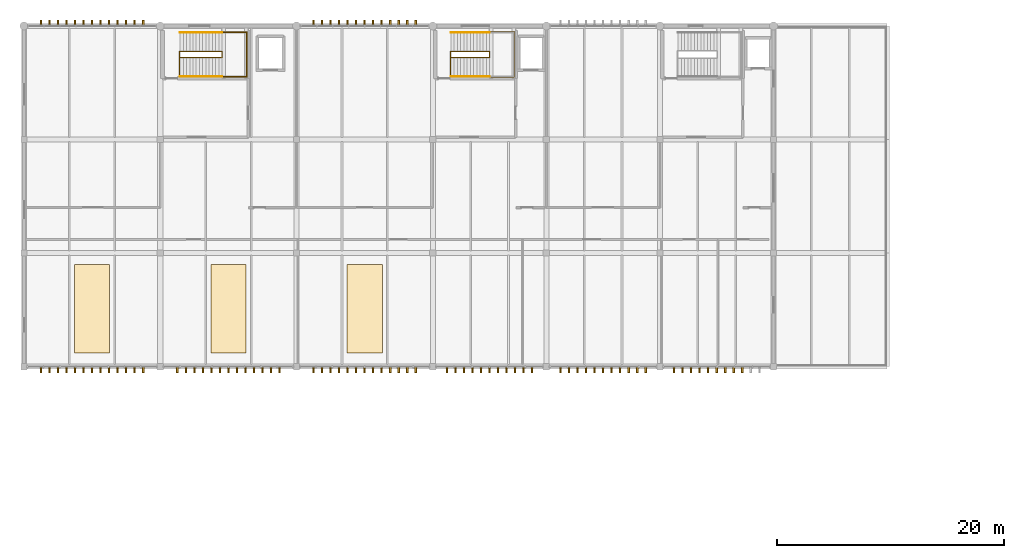
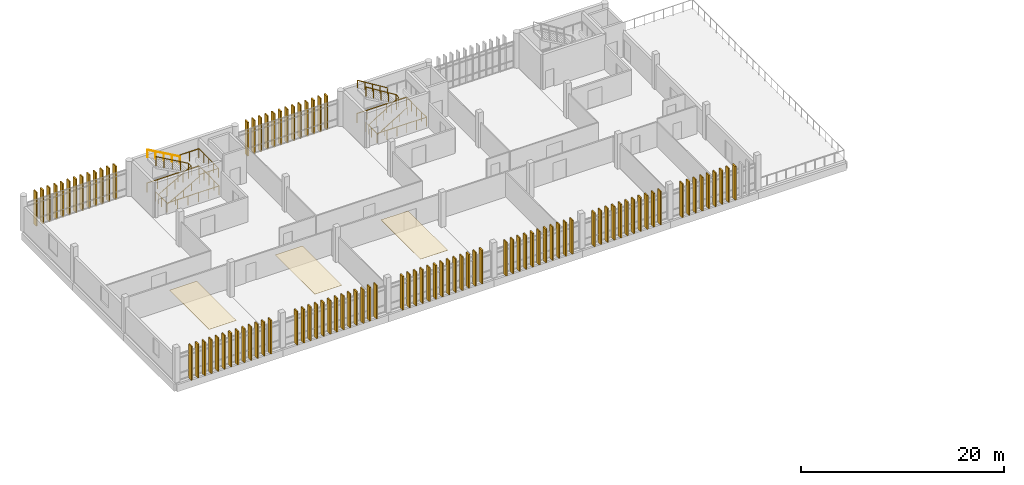
# One storey, part 28 of 29: 96 shading devices, 9 railings, 3 coverings.
"""IFC4 building model written with IfcOpenShell, lengths in metres."""

import ifcopenshell
import ifcopenshell.guid

model = None  # the IFC model being written
_history = None  # IfcOwnerHistory: only IFC2X3 demands one
_inside = {}  # id of a spatial element -> (the spatial element, [elements in it])
_under = {}  # id of a project, library or spatial element -> (it, [spatial elements below it])
_declared = {}  # id of a project -> (the project, [libraries it declares])
_typed = {}  # id of a type object -> (the type object, [elements of that type])
_made_of = {}  # id of a material, layer set ... -> (it, [elements and type objects made of it])


def new_model(schema):
    """Start an empty IFC model of exactly this schema.

    Asked for "IFC4X3", IfcOpenShell would pick the latest addendum, in which some entities
    have other attributes; the version numbers below select the first issue.
    IFC2X3 requires an IfcOwnerHistory on every rooted entity: one is made here for all.
    """
    global model, _history
    if schema == "IFC4X3":
        model = ifcopenshell.file(schema_version=(4, 3, 0, 0))
    else:
        model = ifcopenshell.file(schema=schema)
    _inside.clear()
    _under.clear()
    _declared.clear()
    _typed.clear()
    _made_of.clear()
    _history = None
    if model.schema == "IFC2X3":
        org = make("IfcOrganization", Name="unknown")
        user = make(
            "IfcPersonAndOrganization",
            ThePerson=make("IfcPerson", FamilyName="unknown"),
            TheOrganization=org,
        )
        app = make(
            "IfcApplication",
            ApplicationDeveloper=org,
            Version="unknown",
            ApplicationFullName="unknown",
            ApplicationIdentifier="unknown",
        )
        _history = make(
            "IfcOwnerHistory",
            OwningUser=user,
            OwningApplication=app,
            ChangeAction="ADDED",
            CreationDate=0,
        )
    return model


def make(cls, **values):
    """One entity of the class cls with the attributes given. An attribute that is None is left unset."""
    return model.create_entity(
        cls, **{name: value for name, value in values.items() if value is not None}
    )


def rooted(cls, **values):
    """An entity with a GlobalId (a new one), such as an element, a storey or a relation."""
    return make(cls, GlobalId=ifcopenshell.guid.new(), OwnerHistory=_history, **values)


def si_unit(unit_type, name, prefix=None):
    """IfcSIUnit, for example si_unit("LENGTHUNIT", "METRE", prefix="MILLI")."""
    return make("IfcSIUnit", UnitType=unit_type, Prefix=prefix, Name=name)


def assignment(units):
    """IfcUnitAssignment: the units of a project."""
    return None if units is None else make("IfcUnitAssignment", Units=units)


def point(xyz):
    """IfcCartesianPoint."""
    return None if xyz is None else make("IfcCartesianPoint", Coordinates=xyz)


def direction(xyz):
    """IfcDirection."""
    return None if xyz is None else make("IfcDirection", DirectionRatios=xyz)


def frame(location, z_axis=None, x_axis=None):
    """IfcAxis2Placement3D, a coordinate frame: its origin and axes. An axis left out is left unset."""
    return make(
        "IfcAxis2Placement3D",
        Location=point(location),
        Axis=direction(z_axis),
        RefDirection=direction(x_axis),
    )


def frame_2d(location, x_axis=None):
    """IfcAxis2Placement2D, a coordinate frame in the plane: its origin and x axis."""
    return make(
        "IfcAxis2Placement2D", Location=point(location), RefDirection=direction(x_axis)
    )


def origin():
    """The frame at (0, 0, 0) with its axes left unset."""
    return frame((0.0, 0.0, 0.0))


def origin_2d():
    """The frame at (0, 0) in the plane with its x axis left unset."""
    return frame_2d((0.0, 0.0))


def place(relative_to, where):
    """IfcLocalPlacement: puts the frame where relative to a parent placement (None: the world)."""
    return make(
        "IfcLocalPlacement", PlacementRelTo=relative_to, RelativePlacement=where
    )


def context(
    kind, dimensions, precision=None, world=None, true_north=None, identifier=None
):
    """IfcGeometricRepresentationContext, for example the 3D "Model" context."""
    return make(
        "IfcGeometricRepresentationContext",
        ContextIdentifier=identifier,
        ContextType=kind,
        CoordinateSpaceDimension=dimensions,
        Precision=precision,
        WorldCoordinateSystem=world,
        TrueNorth=true_north,
    )


def subcontext(parent, identifier, kind, view, scale=None):
    """IfcGeometricRepresentationSubContext, for example "Body" below "Model"."""
    return make(
        "IfcGeometricRepresentationSubContext",
        ContextIdentifier=identifier,
        ContextType=kind,
        ParentContext=parent,
        TargetScale=scale,
        TargetView=view,
    )


def project(units=None, contexts=None):
    """IfcProject with its units and contexts."""
    return rooted(
        "IfcProject",
        Name="project",
        RepresentationContexts=contexts,
        UnitsInContext=assignment(units),
    )


def spatial(cls, under=None, at=None, **own):
    """A site, building, storey or space (cls), placed at a placement, below another one or the project."""
    s = rooted(cls, ObjectPlacement=at, **own)
    if under is not None:
        _under.setdefault(under.id(), (under, []))[1].append(s)
    return s


def polyline(points):
    """IfcPolyline through the points."""
    return make("IfcPolyline", Points=[point(p) for p in points])


def profile(cls, at=None, kind="AREA", **sizes):
    """A parametric profile (cls). Its sizes go by their IFC names, for example OverallWidth=200.0."""
    return make(cls, ProfileType=kind, Position=at, **sizes)


def rectangle(**sizes):
    """IfcRectangleProfileDef."""
    return profile("IfcRectangleProfileDef", **sizes)


def circle(**sizes):
    """IfcCircleProfileDef."""
    return profile("IfcCircleProfileDef", **sizes)


def outline(outer, holes=None, kind="AREA"):
    """IfcArbitraryClosedProfileDef: a profile drawn as a closed curve; with holes, ...WithVoids."""
    if holes is None:
        return make("IfcArbitraryClosedProfileDef", ProfileType=kind, OuterCurve=outer)
    return make(
        "IfcArbitraryProfileDefWithVoids",
        ProfileType=kind,
        OuterCurve=outer,
        InnerCurves=holes,
    )


def extrude(swept, where, along, depth):
    """IfcExtrudedAreaSolid: the profile swept, set in the frame where, extruded along a direction by depth."""
    return make(
        "IfcExtrudedAreaSolid",
        SweptArea=swept,
        Position=where,
        ExtrudedDirection=direction(along),
        Depth=depth,
    )


def shape(context_of_items, identifier, shape_type, items):
    """IfcShapeRepresentation: the items that make up one representation, for example the "Body"."""
    return make(
        "IfcShapeRepresentation",
        ContextOfItems=context_of_items,
        RepresentationIdentifier=identifier,
        RepresentationType=shape_type,
        Items=items,
    )


def material(Name=None, Category=None):
    """IfcMaterial."""
    return make("IfcMaterial", Name=Name, Category=Category)


def layer(
    of_material, thickness, ventilated=None, Name=None, Category=None, Priority=None
):
    """IfcMaterialLayer: one layer of a wall or slab, of a material (None: an air gap)."""
    return make(
        "IfcMaterialLayer",
        Material=of_material,
        LayerThickness=thickness,
        IsVentilated=ventilated,
        Name=Name,
        Category=Category,
        Priority=Priority,
    )


def layer_set(layers, Name=None):
    """IfcMaterialLayerSet."""
    return make("IfcMaterialLayerSet", MaterialLayers=layers, LayerSetName=Name)


def made_of(thing, what):
    """Note that an element or type object is made of a material, layer set ...; save() writes the relation."""
    if what is not None:
        _made_of.setdefault(what.id(), (what, []))[1].append(thing)
    return thing


def type_object(cls, material=None, **own):
    """A type object (cls), such as IfcWallType, which elements share."""
    return made_of(rooted(cls, **own), material)


def element(
    cls,
    number,
    at=None,
    inside=None,
    cuts=None,
    type_object=None,
    material=None,
    context=None,
    identifier="Body",
    shape_type=None,
    held_by="IfcProductDefinitionShape",
    body=None,
    shapes=None,
    **own,
):
    """One element of the class cls, such as IfcWall. Its Tag is "e" and its number.

    at: its placement. inside: the storey or other place that contains it. cuts: it is an
    opening in that element (IfcRelVoidsElement). A single representation is given by context,
    identifier, shape_type and body (its items); several are given by shapes. held_by: the class
    of the entity that holds the representations. save() writes the other relations.
    """
    e = rooted(cls, Tag="e%d" % number, ObjectPlacement=at, **own)
    if body is not None:
        shapes = [shape(context, identifier, shape_type, body)]
    if shapes is not None:
        e.Representation = make(held_by, Representations=shapes)
    if inside is not None:
        _inside.setdefault(inside.id(), (inside, []))[1].append(e)
    if cuts is not None:
        rooted(
            "IfcRelVoidsElement", RelatingBuildingElement=cuts, RelatedOpeningElement=e
        )
    if type_object is not None:
        _typed.setdefault(type_object.id(), (type_object, []))[1].append(e)
    return made_of(e, material)


def aggregate(whole, parts):
    """IfcRelAggregates: a whole, such as a stair, and the parts it consists of."""
    return rooted("IfcRelAggregates", RelatingObject=whole, RelatedObjects=parts)


def save(model, path):
    """Write the relations noted so far, then the file.

    IfcRelAggregates (storeys below a building ...), IfcRelContainedInSpatialStructure (elements
    in a storey), IfcRelDefinesByType, IfcRelAssociatesMaterial and IfcRelDeclares: one each for
    every whole, place, type object, material and project.
    """
    for whole, parts in _under.values():
        aggregate(whole, parts)
    for where, things in _inside.values():
        rooted(
            "IfcRelContainedInSpatialStructure",
            RelatedElements=things,
            RelatingStructure=where,
        )
    for kind, things in _typed.values():
        rooted("IfcRelDefinesByType", RelatedObjects=things, RelatingType=kind)
    for what, things in _made_of.values():
        rooted("IfcRelAssociatesMaterial", RelatedObjects=things, RelatingMaterial=what)
    for by, libraries in _declared.values():
        rooted("IfcRelDeclares", RelatingContext=by, RelatedDefinitions=libraries)
    model.write(path)


model = new_model("IFC4")

# Units and contexts
model_context = context("Model", 3, precision=1e-05, world=origin(), true_north=direction((0.0, 1.0)))
body_context = subcontext(model_context, "Body", "Model", "MODEL_VIEW")
ifc_project = project(units=[si_unit("LENGTHUNIT", "METRE"), si_unit("AREAUNIT", "SQUARE_METRE"), si_unit("VOLUMEUNIT", "CUBIC_METRE"), si_unit("PLANEANGLEUNIT", "RADIAN"), si_unit("MASSUNIT", "GRAM", prefix="KILO")], contexts=[model_context])

# Site, building, storey
site_placement = place(None, origin())
site = spatial("IfcSite", under=ifc_project, at=site_placement, CompositionType="ELEMENT")
building_placement = place(site_placement, origin())
building = spatial("IfcBuilding", under=site, at=building_placement, Name="Mersad Railyard Sports Hall", CompositionType="ELEMENT")
storey_placement = place(building_placement, frame((0.0, 0.0, 17.39990234375)))
storey = spatial("IfcBuildingStorey", under=building, at=storey_placement, Name="L04", CompositionType="ELEMENT", Elevation=17.39990234375)

# Coverings
ifc_material_1 = material(Name="Gypsum plasterboard", Category="gypsum")
ifc_layer = layer(ifc_material_1, 0.02490234375)
ifc_layer_set = layer_set([ifc_layer], Name="Gypsum plasterboard")
covering_type = type_object("IfcCoveringType", Name="ARC-CV-CL01", PredefinedType="CEILING", material=ifc_layer_set)
covering_1_placement = place(storey_placement, frame((0.0, 0.0, 3.885009765625)))
element("IfcCovering", 1, at=covering_1_placement, inside=storey, type_object=covering_type, Name="Acoustic ceiling panel 013", PredefinedType="CEILING", context=body_context, shape_type="SweptSolid", body=[
    extrude(outline(polyline([(59.449951171875, 86.199951171875), (62.550048828125, 86.199951171875), (62.550048828125, 94.0), (59.449951171875, 94.0), (59.449951171875, 86.199951171875)])), origin(), (0.0, 0.0, 1.0), 0.025146484375),
])
covering_2_placement = place(storey_placement, frame((0.0, 0.0, 3.9150390625)))
element("IfcCovering", 2, at=covering_2_placement, inside=storey, type_object=covering_type, Name="Acoustic ceiling panel 014", PredefinedType="CEILING", context=body_context, shape_type="SweptSolid", body=[
    extrude(outline(polyline([(71.449951171875, 86.199951171875), (74.550048828125, 86.199951171875), (74.550048828125, 94.0), (71.449951171875, 94.0), (71.449951171875, 86.199951171875)])), origin(), (0.0, 0.0, 1.0), 0.025146484375),
])
covering_3_placement = place(storey_placement, frame((0.0, 0.0, 3.9150390625)))
element("IfcCovering", 3, at=covering_3_placement, inside=storey, type_object=covering_type, Name="Acoustic ceiling panel 015", PredefinedType="CEILING", context=body_context, shape_type="SweptSolid", body=[
    extrude(outline(polyline([(83.449951171875, 86.199951171875), (86.550048828125, 86.199951171875), (86.550048828125, 94.0), (83.449951171875, 94.0), (83.449951171875, 86.199951171875)])), origin(), (0.0, 0.0, 1.0), 0.025146484375),
])

# Railings
ifc_material_2 = material(Name="Steel S355", Category="steel")
railing_type_1 = type_object("IfcRailingType", Name="ARC-RL-GR01", PredefinedType="GUARDRAIL", material=ifc_material_2)
railing_1_placement = place(storey_placement, frame((68.7099609375, 112.75, 0.0)))
element("IfcRailing", 4, at=railing_1_placement, inside=storey, type_object=railing_type_1, Name="Interior guard GR01-0025", PredefinedType="GUARDRAIL", context=body_context, shape_type="SweptSolid", body=[
    extrude(circle(Radius=0.02392578125, at=origin_2d()), frame((0.0, 0.0, 1.09619140625), z_axis=(0.0, -1.0, 0.0), x_axis=(1.0, 0.0, 0.0)), (0.0, 0.0, 1.0), 2.22998046875),
    extrude(circle(Radius=0.02392578125, at=origin_2d()), frame((0.0, -2.22998046875, 1.09619140625), z_axis=(1.0, 0.0, 0.0), x_axis=(0.0, 1.0, 0.0)), (0.0, 0.0, 1.0), 5.919921875),
    extrude(circle(Radius=0.02392578125, at=origin_2d()), frame((5.919921875, -2.22998046875, 1.09619140625), z_axis=(0.0, 1.0, 0.0), x_axis=(-1.0, 0.0, 0.0)), (0.0, 0.0, 1.0), 3.9599609375),
    extrude(circle(Radius=0.02392578125, at=origin_2d()), frame((5.919921875, 1.72998046875, 1.09619140625), z_axis=(-1.0, 0.0, 0.0), x_axis=(0.0, -1.0, 0.0)), (0.0, 0.0, 1.0), 5.919921875),
    extrude(circle(Radius=0.02099609375, at=origin_2d()), origin(), (0.0, 0.0, 1.0), 1.072021484375),
    extrude(circle(Radius=0.02099609375, at=origin_2d()), frame((0.0, -1.114990234375, 0.0)), (0.0, 0.0, 1.0), 1.072021484375),
    extrude(circle(Radius=0.02099609375, at=origin_2d()), frame((0.0, -2.22998046875, 0.0)), (0.0, 0.0, 1.0), 1.072021484375),
    extrude(circle(Radius=0.02099609375, at=origin_2d()), frame((1.18408203125, -2.22998046875, 0.0)), (0.0, 0.0, 1.0), 1.072021484375),
    extrude(circle(Radius=0.02099609375, at=origin_2d()), frame((2.367919921875, -2.22998046875, 0.0)), (0.0, 0.0, 1.0), 1.072021484375),
    extrude(circle(Radius=0.02099609375, at=origin_2d()), frame((3.552001953125, -2.22998046875, 0.0)), (0.0, 0.0, 1.0), 1.072021484375),
    extrude(circle(Radius=0.02099609375, at=origin_2d()), frame((4.73583984375, -2.22998046875, 0.0)), (0.0, 0.0, 1.0), 1.072021484375),
    extrude(circle(Radius=0.02099609375, at=origin_2d()), frame((5.919921875, -2.22998046875, 0.0)), (0.0, 0.0, 1.0), 1.072021484375),
    extrude(circle(Radius=0.02099609375, at=origin_2d()), frame((5.919921875, -1.239990234375, 0.0)), (0.0, 0.0, 1.0), 1.072021484375),
    extrude(circle(Radius=0.02099609375, at=origin_2d()), frame((5.919921875, -0.25, 0.0)), (0.0, 0.0, 1.0), 1.072021484375),
    extrude(circle(Radius=0.02099609375, at=origin_2d()), frame((5.919921875, 0.739990234375, 0.0)), (0.0, 0.0, 1.0), 1.072021484375),
    extrude(circle(Radius=0.02099609375, at=origin_2d()), frame((5.919921875, 1.72998046875, 0.0)), (0.0, 0.0, 1.0), 1.072021484375),
    extrude(circle(Radius=0.02099609375, at=origin_2d()), frame((4.73583984375, 1.72998046875, 0.0)), (0.0, 0.0, 1.0), 1.072021484375),
    extrude(circle(Radius=0.02099609375, at=origin_2d()), frame((3.552001953125, 1.72998046875, 0.0)), (0.0, 0.0, 1.0), 1.072021484375),
    extrude(circle(Radius=0.02099609375, at=origin_2d()), frame((2.367919921875, 1.72998046875, 0.0)), (0.0, 0.0, 1.0), 1.072021484375),
    extrude(circle(Radius=0.02099609375, at=origin_2d()), frame((1.18408203125, 1.72998046875, 0.0)), (0.0, 0.0, 1.0), 1.072021484375),
    extrude(circle(Radius=0.02099609375, at=origin_2d()), frame((0.0, 1.72998046875, 0.0)), (0.0, 0.0, 1.0), 1.072021484375),
])
railing_2_placement = place(storey_placement, frame((68.75, 112.22998046875, 0.0)))
element("IfcRailing", 5, at=railing_2_placement, inside=storey, type_object=railing_type_1, Name="Interior guard GR01-0028", PredefinedType="GUARDRAIL", context=body_context, shape_type="SweptSolid", body=[
    extrude(circle(Radius=0.02392578125, at=origin_2d()), frame((0.0, 0.0, 1.09619140625), z_axis=(0.869210684612, 0.0, 0.494441893204), x_axis=(0.0, 1.0, 0.0)), (0.0, 0.0, 1.0), 4.247314453125),
    extrude(circle(Radius=0.02392578125, at=origin_2d()), frame((3.69189453125, 0.0, 3.1962890625), z_axis=(0.0, 1.0, 0.0), x_axis=(-1.0, 0.0, 0.0)), (0.0, 0.0, 1.0), 0.5400390625),
    extrude(circle(Radius=0.02392578125, at=origin_2d()), frame((3.69189453125, 0.5400390625, 3.1962890625), z_axis=(-0.869210684612, 0.0, 0.494441893204), x_axis=(0.0, -1.0, 0.0)), (0.0, 0.0, 1.0), 4.247314453125),
    extrude(circle(Radius=0.02099609375, at=origin_2d()), origin(), (0.0, 0.0, 1.0), 1.072021484375),
    extrude(circle(Radius=0.02099609375, at=origin_2d()), frame((0.9228515625, 0.0, 0.52490234375)), (0.0, 0.0, 1.0), 1.072021484375),
    extrude(circle(Radius=0.02099609375, at=origin_2d()), frame((1.845947265625, 0.0, 1.050048828125)), (0.0, 0.0, 1.0), 1.072021484375),
    extrude(circle(Radius=0.02099609375, at=origin_2d()), frame((2.76904296875, 0.0, 1.5751953125)), (0.0, 0.0, 1.0), 1.072021484375),
    extrude(circle(Radius=0.02099609375, at=origin_2d()), frame((3.69189453125, 0.0, 2.10009765625)), (0.0, 0.0, 1.0), 1.072021484375),
    extrude(circle(Radius=0.02099609375, at=origin_2d()), frame((3.69189453125, 0.5400390625, 2.10009765625)), (0.0, 0.0, 1.0), 1.072021484375),
    extrude(circle(Radius=0.02099609375, at=origin_2d()), frame((2.76904296875, 0.5400390625, 2.625)), (0.0, 0.0, 1.0), 1.072021484375),
    extrude(circle(Radius=0.02099609375, at=origin_2d()), frame((1.845947265625, 0.5400390625, 3.150146484375)), (0.0, 0.0, 1.0), 1.072021484375),
    extrude(circle(Radius=0.02099609375, at=origin_2d()), frame((0.9228515625, 0.5400390625, 3.67529296875)), (0.0, 0.0, 1.0), 1.072021484375),
    extrude(circle(Radius=0.02099609375, at=origin_2d()), frame((0.0, 0.5400390625, 4.2001953125)), (0.0, 0.0, 1.0), 1.072021484375),
])
railing_3_placement = place(storey_placement, frame((72.44189453125, 110.56005859375, 2.10009765625)))
element("IfcRailing", 6, at=railing_3_placement, inside=storey, type_object=railing_type_1, Name="Interior guard GR01-0029", PredefinedType="GUARDRAIL", context=body_context, shape_type="SweptSolid", body=[
    extrude(circle(Radius=0.02392578125, at=origin_2d()), frame((0.0, 0.0, 1.09619140625), z_axis=(1.0, 0.0, 0.0), x_axis=(0.0, 1.0, 0.0)), (0.0, 0.0, 1.0), 2.148193359375),
    extrude(circle(Radius=0.02392578125, at=origin_2d()), frame((2.148193359375, 0.0, 1.09619140625), z_axis=(0.0, 1.0, 0.0), x_axis=(-1.0, 0.0, 0.0)), (0.0, 0.0, 1.0), 3.8798828125),
    extrude(circle(Radius=0.02392578125, at=origin_2d()), frame((2.148193359375, 3.8798828125, 1.09619140625), z_axis=(-1.0, 0.0, 0.0), x_axis=(0.0, -1.0, 0.0)), (0.0, 0.0, 1.0), 2.148193359375),
    extrude(circle(Radius=0.02099609375, at=origin_2d()), origin(), (0.0, 0.0, 1.0), 1.072021484375),
    extrude(circle(Radius=0.02099609375, at=origin_2d()), frame((1.07421875, 0.0, 0.0)), (0.0, 0.0, 1.0), 1.072021484375),
    extrude(circle(Radius=0.02099609375, at=origin_2d()), frame((2.148193359375, 0.0, 0.0)), (0.0, 0.0, 1.0), 1.072021484375),
    extrude(circle(Radius=0.02099609375, at=origin_2d()), frame((2.148193359375, 0.969970703125, 0.0)), (0.0, 0.0, 1.0), 1.072021484375),
    extrude(circle(Radius=0.02099609375, at=origin_2d()), frame((2.148193359375, 1.93994140625, 0.0)), (0.0, 0.0, 1.0), 1.072021484375),
    extrude(circle(Radius=0.02099609375, at=origin_2d()), frame((2.148193359375, 2.909912109375, 0.0)), (0.0, 0.0, 1.0), 1.072021484375),
    extrude(circle(Radius=0.02099609375, at=origin_2d()), frame((2.148193359375, 3.8798828125, 0.0)), (0.0, 0.0, 1.0), 1.072021484375),
    extrude(circle(Radius=0.02099609375, at=origin_2d()), frame((1.07421875, 3.8798828125, 0.0)), (0.0, 0.0, 1.0), 1.072021484375),
    extrude(circle(Radius=0.02099609375, at=origin_2d()), frame((0.0, 3.8798828125, 0.0)), (0.0, 0.0, 1.0), 1.072021484375),
])
railing_4_placement = place(storey_placement, frame((92.56005859375, 112.75, 0.0)))
element("IfcRailing", 7, at=railing_4_placement, inside=storey, type_object=railing_type_1, Name="Interior guard GR01-0055", PredefinedType="GUARDRAIL", context=body_context, shape_type="SweptSolid", body=[
    extrude(circle(Radius=0.02392578125, at=origin_2d()), frame((0.0, 0.0, 1.09619140625), z_axis=(0.0, -1.0, 0.0), x_axis=(1.0, 0.0, 0.0)), (0.0, 0.0, 1.0), 2.22998046875),
    extrude(circle(Radius=0.02392578125, at=origin_2d()), frame((0.0, -2.22998046875, 1.09619140625), z_axis=(1.0, 0.0, 0.0), x_axis=(0.0, 1.0, 0.0)), (0.0, 0.0, 1.0), 5.619873046875),
    extrude(circle(Radius=0.02392578125, at=origin_2d()), frame((5.619873046875, -2.22998046875, 1.09619140625), z_axis=(0.0, 1.0, 0.0), x_axis=(-1.0, 0.0, 0.0)), (0.0, 0.0, 1.0), 3.9599609375),
    extrude(circle(Radius=0.02392578125, at=origin_2d()), frame((5.619873046875, 1.72998046875, 1.09619140625), z_axis=(-1.0, 0.0, 0.0), x_axis=(0.0, -1.0, 0.0)), (0.0, 0.0, 1.0), 5.619873046875),
    extrude(circle(Radius=0.02099609375, at=origin_2d()), origin(), (0.0, 0.0, 1.0), 1.072021484375),
    extrude(circle(Radius=0.02099609375, at=origin_2d()), frame((0.0, -1.114990234375, 0.0)), (0.0, 0.0, 1.0), 1.072021484375),
    extrude(circle(Radius=0.02099609375, at=origin_2d()), frame((0.0, -2.22998046875, 0.0)), (0.0, 0.0, 1.0), 1.072021484375),
    extrude(circle(Radius=0.02099609375, at=origin_2d()), frame((1.1240234375, -2.22998046875, 0.0)), (0.0, 0.0, 1.0), 1.072021484375),
    extrude(circle(Radius=0.02099609375, at=origin_2d()), frame((2.248046875, -2.22998046875, 0.0)), (0.0, 0.0, 1.0), 1.072021484375),
    extrude(circle(Radius=0.02099609375, at=origin_2d()), frame((3.371826171875, -2.22998046875, 0.0)), (0.0, 0.0, 1.0), 1.072021484375),
    extrude(circle(Radius=0.02099609375, at=origin_2d()), frame((4.495849609375, -2.22998046875, 0.0)), (0.0, 0.0, 1.0), 1.072021484375),
    extrude(circle(Radius=0.02099609375, at=origin_2d()), frame((5.619873046875, -2.22998046875, 0.0)), (0.0, 0.0, 1.0), 1.072021484375),
    extrude(circle(Radius=0.02099609375, at=origin_2d()), frame((5.619873046875, -1.239990234375, 0.0)), (0.0, 0.0, 1.0), 1.072021484375),
    extrude(circle(Radius=0.02099609375, at=origin_2d()), frame((5.619873046875, -0.25, 0.0)), (0.0, 0.0, 1.0), 1.072021484375),
    extrude(circle(Radius=0.02099609375, at=origin_2d()), frame((5.619873046875, 0.739990234375, 0.0)), (0.0, 0.0, 1.0), 1.072021484375),
    extrude(circle(Radius=0.02099609375, at=origin_2d()), frame((5.619873046875, 1.72998046875, 0.0)), (0.0, 0.0, 1.0), 1.072021484375),
    extrude(circle(Radius=0.02099609375, at=origin_2d()), frame((4.495849609375, 1.72998046875, 0.0)), (0.0, 0.0, 1.0), 1.072021484375),
    extrude(circle(Radius=0.02099609375, at=origin_2d()), frame((3.371826171875, 1.72998046875, 0.0)), (0.0, 0.0, 1.0), 1.072021484375),
    extrude(circle(Radius=0.02099609375, at=origin_2d()), frame((2.248046875, 1.72998046875, 0.0)), (0.0, 0.0, 1.0), 1.072021484375),
    extrude(circle(Radius=0.02099609375, at=origin_2d()), frame((1.1240234375, 1.72998046875, 0.0)), (0.0, 0.0, 1.0), 1.072021484375),
    extrude(circle(Radius=0.02099609375, at=origin_2d()), frame((0.0, 1.72998046875, 0.0)), (0.0, 0.0, 1.0), 1.072021484375),
])
railing_5_placement = place(storey_placement, frame((92.60009765625, 112.22998046875, 0.0)))
element("IfcRailing", 8, at=railing_5_placement, inside=storey, type_object=railing_type_1, Name="Interior guard GR01-0058", PredefinedType="GUARDRAIL", context=body_context, shape_type="SweptSolid", body=[
    extrude(circle(Radius=0.02392578125, at=origin_2d()), frame((0.0, 0.0, 1.09619140625), z_axis=(0.851335676579, 0.0, 0.524621354677), x_axis=(0.0, 1.0, 0.0)), (0.0, 0.0, 1.0), 4.003173828125),
    extrude(circle(Radius=0.02392578125, at=origin_2d()), frame((3.407958984375, 0.0, 3.1962890625), z_axis=(0.0, 1.0, 0.0), x_axis=(-1.0, 0.0, 0.0)), (0.0, 0.0, 1.0), 0.5400390625),
    extrude(circle(Radius=0.02392578125, at=origin_2d()), frame((3.407958984375, 0.5400390625, 3.1962890625), z_axis=(-0.851335676579, 0.0, 0.524621354677), x_axis=(0.0, -1.0, 0.0)), (0.0, 0.0, 1.0), 4.003173828125),
    extrude(circle(Radius=0.02099609375, at=origin_2d()), origin(), (0.0, 0.0, 1.0), 1.072021484375),
    extrude(circle(Radius=0.02099609375, at=origin_2d()), frame((0.85205078125, 0.0, 0.52490234375)), (0.0, 0.0, 1.0), 1.072021484375),
    extrude(circle(Radius=0.02099609375, at=origin_2d()), frame((1.7041015625, 0.0, 1.050048828125)), (0.0, 0.0, 1.0), 1.072021484375),
    extrude(circle(Radius=0.02099609375, at=origin_2d()), frame((2.555908203125, 0.0, 1.5751953125)), (0.0, 0.0, 1.0), 1.072021484375),
    extrude(circle(Radius=0.02099609375, at=origin_2d()), frame((3.407958984375, 0.0, 2.10009765625)), (0.0, 0.0, 1.0), 1.072021484375),
    extrude(circle(Radius=0.02099609375, at=origin_2d()), frame((3.407958984375, 0.5400390625, 2.10009765625)), (0.0, 0.0, 1.0), 1.072021484375),
    extrude(circle(Radius=0.02099609375, at=origin_2d()), frame((2.555908203125, 0.5400390625, 2.625)), (0.0, 0.0, 1.0), 1.072021484375),
    extrude(circle(Radius=0.02099609375, at=origin_2d()), frame((1.7041015625, 0.5400390625, 3.150146484375)), (0.0, 0.0, 1.0), 1.072021484375),
    extrude(circle(Radius=0.02099609375, at=origin_2d()), frame((0.85205078125, 0.5400390625, 3.67529296875)), (0.0, 0.0, 1.0), 1.072021484375),
    extrude(circle(Radius=0.02099609375, at=origin_2d()), frame((0.0, 0.5400390625, 4.2001953125)), (0.0, 0.0, 1.0), 1.072021484375),
])
railing_type_2 = type_object("IfcRailingType", Name="ARC-RL-HR01", PredefinedType="HANDRAIL", material=ifc_material_2)
railing_6_placement = place(storey_placement, frame((68.75, 110.56005859375, 0.0)))
element("IfcRailing", 9, at=railing_6_placement, inside=storey, type_object=railing_type_2, Name="Interior handrail HR01-0026", PredefinedType="HANDRAIL", context=body_context, shape_type="SweptSolid", body=[
    extrude(circle(Radius=0.02392578125, at=origin_2d()), frame((0.0, 0.0, 0.89599609375), z_axis=(0.869210684612, 0.0, 0.494441893204), x_axis=(0.0, 1.0, 0.0)), (0.0, 0.0, 1.0), 4.247314453125),
    extrude(circle(Radius=0.02099609375, at=origin_2d()), origin(), (0.0, 0.0, 1.0), 0.871826171875),
    extrude(circle(Radius=0.02099609375, at=origin_2d()), frame((0.9228515625, 0.0, 0.52490234375)), (0.0, 0.0, 1.0), 0.871826171875),
    extrude(circle(Radius=0.02099609375, at=origin_2d()), frame((1.845947265625, 0.0, 1.050048828125)), (0.0, 0.0, 1.0), 0.871826171875),
    extrude(circle(Radius=0.02099609375, at=origin_2d()), frame((2.76904296875, 0.0, 1.5751953125)), (0.0, 0.0, 1.0), 0.871826171875),
    extrude(circle(Radius=0.02099609375, at=origin_2d()), frame((3.69189453125, 0.0, 2.10009765625)), (0.0, 0.0, 1.0), 0.871826171875),
])
railing_7_placement = place(storey_placement, frame((72.44189453125, 114.43994140625, 2.10009765625)))
element("IfcRailing", 10, at=railing_7_placement, inside=storey, type_object=railing_type_2, Name="Interior handrail HR01-0027", PredefinedType="HANDRAIL", context=body_context, shape_type="SweptSolid", body=[
    extrude(circle(Radius=0.02392578125, at=origin_2d()), frame((0.0, 0.0, 0.89599609375), z_axis=(-0.869210684612, 0.0, 0.494441893204), x_axis=(0.0, -1.0, 0.0)), (0.0, 0.0, 1.0), 4.247314453125),
    extrude(circle(Radius=0.02099609375, at=origin_2d()), origin(), (0.0, 0.0, 1.0), 0.871826171875),
    extrude(circle(Radius=0.02099609375, at=origin_2d()), frame((-0.9228515625, 0.0, 0.52490234375)), (0.0, 0.0, 1.0), 0.871826171875),
    extrude(circle(Radius=0.02099609375, at=origin_2d()), frame((-1.845947265625, 0.0, 1.050048828125)), (0.0, 0.0, 1.0), 0.871826171875),
    extrude(circle(Radius=0.02099609375, at=origin_2d()), frame((-2.76904296875, 0.0, 1.5751953125)), (0.0, 0.0, 1.0), 0.871826171875),
    extrude(circle(Radius=0.02099609375, at=origin_2d()), frame((-3.69189453125, 0.0, 2.10009765625)), (0.0, 0.0, 1.0), 0.871826171875),
])
railing_8_placement = place(storey_placement, frame((92.60009765625, 110.56005859375, 0.0)))
element("IfcRailing", 11, at=railing_8_placement, inside=storey, type_object=railing_type_2, Name="Interior handrail HR01-0056", PredefinedType="HANDRAIL", context=body_context, shape_type="SweptSolid", body=[
    extrude(circle(Radius=0.02392578125, at=origin_2d()), frame((0.0, 0.0, 0.89599609375), z_axis=(0.851335676579, 0.0, 0.524621354677), x_axis=(0.0, 1.0, 0.0)), (0.0, 0.0, 1.0), 4.003173828125),
    extrude(circle(Radius=0.02099609375, at=origin_2d()), origin(), (0.0, 0.0, 1.0), 0.871826171875),
    extrude(circle(Radius=0.02099609375, at=origin_2d()), frame((0.85205078125, 0.0, 0.52490234375)), (0.0, 0.0, 1.0), 0.871826171875),
    extrude(circle(Radius=0.02099609375, at=origin_2d()), frame((1.7041015625, 0.0, 1.050048828125)), (0.0, 0.0, 1.0), 0.871826171875),
    extrude(circle(Radius=0.02099609375, at=origin_2d()), frame((2.555908203125, 0.0, 1.5751953125)), (0.0, 0.0, 1.0), 0.871826171875),
    extrude(circle(Radius=0.02099609375, at=origin_2d()), frame((3.407958984375, 0.0, 2.10009765625)), (0.0, 0.0, 1.0), 0.871826171875),
])
railing_9_placement = place(storey_placement, frame((96.008056640625, 114.43994140625, 2.10009765625)))
element("IfcRailing", 12, at=railing_9_placement, inside=storey, type_object=railing_type_2, Name="Interior handrail HR01-0057", PredefinedType="HANDRAIL", context=body_context, shape_type="SweptSolid", body=[
    extrude(circle(Radius=0.02392578125, at=origin_2d()), frame((0.0, 0.0, 0.89599609375), z_axis=(-0.851335676579, 0.0, 0.524621354677), x_axis=(0.0, -1.0, 0.0)), (0.0, 0.0, 1.0), 4.003173828125),
    extrude(circle(Radius=0.02099609375, at=origin_2d()), origin(), (0.0, 0.0, 1.0), 0.871826171875),
    extrude(circle(Radius=0.02099609375, at=origin_2d()), frame((-0.85205078125, 0.0, 0.52490234375)), (0.0, 0.0, 1.0), 0.871826171875),
    extrude(circle(Radius=0.02099609375, at=origin_2d()), frame((-1.7041015625, 0.0, 1.050048828125)), (0.0, 0.0, 1.0), 0.871826171875),
    extrude(circle(Radius=0.02099609375, at=origin_2d()), frame((-2.555908203125, 0.0, 1.5751953125)), (0.0, 0.0, 1.0), 0.871826171875),
    extrude(circle(Radius=0.02099609375, at=origin_2d()), frame((-3.407958984375, 0.0, 2.10009765625)), (0.0, 0.0, 1.0), 0.871826171875),
])

# Shading devices
ifc_material_3 = material(Name="Precast concrete C45/55", Category="concrete")
shading_device_type = type_object("IfcShadingDeviceType", Name="ARC-SH-FN01", PredefinedType="USERDEFINED", material=ifc_material_3)
for number, where, z_axis, x_axis, name in (
    (13, (56.5, 115.25, -0.10009765625), (0.0, 0.0, 1.0), (1.0, 0.0, 0.0), "Precast sun fin FN01-0612"),
    (14, (57.25, 115.25, -0.10009765625), (0.0, 0.0, 1.0), (1.0, 0.0, 0.0), "Precast sun fin FN01-0613"),
    (15, (58.0, 115.25, -0.10009765625), (0.0, 0.0, 1.0), (1.0, 0.0, 0.0), "Precast sun fin FN01-0614"),
    (16, (58.75, 115.25, -0.10009765625), (0.0, 0.0, 1.0), (1.0, 0.0, 0.0), "Precast sun fin FN01-0615"),
    (17, (59.5, 115.25, -0.10009765625), (0.0, 0.0, 1.0), (1.0, 0.0, 0.0), "Precast sun fin FN01-0616"),
    (18, (60.25, 115.25, -0.10009765625), (0.0, 0.0, 1.0), (1.0, 0.0, 0.0), "Precast sun fin FN01-0617"),
    (19, (61.0, 115.25, -0.10009765625), (0.0, 0.0, 1.0), (1.0, 0.0, 0.0), "Precast sun fin FN01-0618"),
    (20, (61.75, 115.25, -0.10009765625), (0.0, 0.0, 1.0), (1.0, 0.0, 0.0), "Precast sun fin FN01-0619"),
    (21, (62.5, 115.25, -0.10009765625), (0.0, 0.0, 1.0), (1.0, 0.0, 0.0), "Precast sun fin FN01-0620"),
    (22, (63.25, 115.25, -0.10009765625), (0.0, 0.0, 1.0), (1.0, 0.0, 0.0), "Precast sun fin FN01-0621"),
    (23, (64.0, 115.25, -0.10009765625), (0.0, 0.0, 1.0), (1.0, 0.0, 0.0), "Precast sun fin FN01-0622"),
    (24, (64.75, 115.25, -0.10009765625), (0.0, 0.0, 1.0), (1.0, 0.0, 0.0), "Precast sun fin FN01-0623"),
    (25, (65.5, 115.25, -0.10009765625), (0.0, 0.0, 1.0), (1.0, 0.0, 0.0), "Precast sun fin FN01-0624"),
    (26, (80.5, 115.25, -0.10009765625), (0.0, 0.0, 1.0), (1.0, 0.0, 0.0), "Precast sun fin FN01-0625"),
    (27, (81.25, 115.25, -0.10009765625), (0.0, 0.0, 1.0), (1.0, 0.0, 0.0), "Precast sun fin FN01-0626"),
    (28, (82.0, 115.25, -0.10009765625), (0.0, 0.0, 1.0), (1.0, 0.0, 0.0), "Precast sun fin FN01-0627"),
    (29, (82.75, 115.25, -0.10009765625), (0.0, 0.0, 1.0), (1.0, 0.0, 0.0), "Precast sun fin FN01-0628"),
    (30, (83.5, 115.25, -0.10009765625), (0.0, 0.0, 1.0), (1.0, 0.0, 0.0), "Precast sun fin FN01-0629"),
    (31, (84.25, 115.25, -0.10009765625), (0.0, 0.0, 1.0), (1.0, 0.0, 0.0), "Precast sun fin FN01-0630"),
    (32, (85.0, 115.25, -0.10009765625), (0.0, 0.0, 1.0), (1.0, 0.0, 0.0), "Precast sun fin FN01-0631"),
    (33, (85.75, 115.25, -0.10009765625), (0.0, 0.0, 1.0), (1.0, 0.0, 0.0), "Precast sun fin FN01-0632"),
    (34, (86.5, 115.25, -0.10009765625), (0.0, 0.0, 1.0), (1.0, 0.0, 0.0), "Precast sun fin FN01-0633"),
    (35, (87.25, 115.25, -0.10009765625), (0.0, 0.0, 1.0), (1.0, 0.0, 0.0), "Precast sun fin FN01-0634"),
    (36, (88.0, 115.25, -0.10009765625), (0.0, 0.0, 1.0), (1.0, 0.0, 0.0), "Precast sun fin FN01-0635"),
    (37, (88.75, 115.25, -0.10009765625), (0.0, 0.0, 1.0), (1.0, 0.0, 0.0), "Precast sun fin FN01-0636"),
    (38, (89.5, 115.25, -0.10009765625), (0.0, 0.0, 1.0), (1.0, 0.0, 0.0), "Precast sun fin FN01-0637"),
    (39, (56.5, 84.75, -0.10009765625), (0.0, 0.0, 1.0), (1.0, 0.0, 0.0), "Precast sun fin FN01-0649"),
    (40, (57.25, 84.75, -0.10009765625), (0.0, 0.0, 1.0), (1.0, 0.0, 0.0), "Precast sun fin FN01-0650"),
    (41, (58.0, 84.75, -0.10009765625), (0.0, 0.0, 1.0), (1.0, 0.0, 0.0), "Precast sun fin FN01-0651"),
    (42, (58.75, 84.75, -0.10009765625), (0.0, 0.0, 1.0), (1.0, 0.0, 0.0), "Precast sun fin FN01-0652"),
    (43, (59.5, 84.75, -0.10009765625), (0.0, 0.0, 1.0), (1.0, 0.0, 0.0), "Precast sun fin FN01-0653"),
    (44, (60.25, 84.75, -0.10009765625), (0.0, 0.0, 1.0), (1.0, 0.0, 0.0), "Precast sun fin FN01-0654"),
    (45, (61.0, 84.75, -0.10009765625), (0.0, 0.0, 1.0), (1.0, 0.0, 0.0), "Precast sun fin FN01-0655"),
    (46, (61.75, 84.75, -0.10009765625), (0.0, 0.0, 1.0), (1.0, 0.0, 0.0), "Precast sun fin FN01-0656"),
    (47, (62.5, 84.75, -0.10009765625), (0.0, 0.0, 1.0), (1.0, 0.0, 0.0), "Precast sun fin FN01-0657"),
    (48, (63.25, 84.75, -0.10009765625), (0.0, 0.0, 1.0), (1.0, 0.0, 0.0), "Precast sun fin FN01-0658"),
    (49, (64.0, 84.75, -0.10009765625), (0.0, 0.0, 1.0), (1.0, 0.0, 0.0), "Precast sun fin FN01-0659"),
    (50, (64.75, 84.75, -0.10009765625), (0.0, 0.0, 1.0), (1.0, 0.0, 0.0), "Precast sun fin FN01-0660"),
    (51, (65.5, 84.75, -0.10009765625), (0.0, 0.0, 1.0), (1.0, 0.0, 0.0), "Precast sun fin FN01-0661"),
    (52, (68.5, 84.75, -0.10009765625), (0.0, 0.0, 1.0), (1.0, 0.0, 0.0), "Precast sun fin FN01-0662"),
    (53, (69.25, 84.75, -0.10009765625), (0.0, 0.0, 1.0), (1.0, 0.0, 0.0), "Precast sun fin FN01-0663"),
    (54, (70.0, 84.75, -0.10009765625), (0.0, 0.0, 1.0), (1.0, 0.0, 0.0), "Precast sun fin FN01-0664"),
    (55, (70.75, 84.75, -0.10009765625), (0.0, 0.0, 1.0), (1.0, 0.0, 0.0), "Precast sun fin FN01-0665"),
    (56, (71.5, 84.75, -0.10009765625), (0.0, 0.0, 1.0), (1.0, 0.0, 0.0), "Precast sun fin FN01-0666"),
    (57, (72.25, 84.75, -0.10009765625), (0.0, 0.0, 1.0), (1.0, 0.0, 0.0), "Precast sun fin FN01-0667"),
    (58, (73.0, 84.75, -0.10009765625), (0.0, 0.0, 1.0), (1.0, 0.0, 0.0), "Precast sun fin FN01-0668"),
    (59, (73.75, 84.75, -0.10009765625), (0.0, 0.0, 1.0), (1.0, 0.0, 0.0), "Precast sun fin FN01-0669"),
    (60, (74.5, 84.75, -0.10009765625), (0.0, 0.0, 1.0), (1.0, 0.0, 0.0), "Precast sun fin FN01-0670"),
    (61, (75.25, 84.75, -0.10009765625), (0.0, 0.0, 1.0), (1.0, 0.0, 0.0), "Precast sun fin FN01-0671"),
    (62, (76.0, 84.75, -0.10009765625), (0.0, 0.0, 1.0), (1.0, 0.0, 0.0), "Precast sun fin FN01-0672"),
    (63, (76.75, 84.75, -0.10009765625), (0.0, 0.0, 1.0), (1.0, 0.0, 0.0), "Precast sun fin FN01-0673"),
    (64, (77.5, 84.75, -0.10009765625), (0.0, 0.0, 1.0), (1.0, 0.0, 0.0), "Precast sun fin FN01-0674"),
    (65, (80.5, 84.75, -0.10009765625), (0.0, 0.0, 1.0), (1.0, 0.0, 0.0), "Precast sun fin FN01-0675"),
    (66, (81.25, 84.75, -0.10009765625), (0.0, 0.0, 1.0), (1.0, 0.0, 0.0), "Precast sun fin FN01-0676"),
    (67, (82.0, 84.75, -0.10009765625), (0.0, 0.0, 1.0), (1.0, 0.0, 0.0), "Precast sun fin FN01-0677"),
    (68, (82.75, 84.75, -0.10009765625), (0.0, 0.0, 1.0), (1.0, 0.0, 0.0), "Precast sun fin FN01-0678"),
    (69, (83.5, 84.75, -0.10009765625), (0.0, 0.0, 1.0), (1.0, 0.0, 0.0), "Precast sun fin FN01-0679"),
    (70, (84.25, 84.75, -0.10009765625), (0.0, 0.0, 1.0), (1.0, 0.0, 0.0), "Precast sun fin FN01-0680"),
    (71, (85.0, 84.75, -0.10009765625), (0.0, 0.0, 1.0), (1.0, 0.0, 0.0), "Precast sun fin FN01-0681"),
    (72, (85.75, 84.75, -0.10009765625), (0.0, 0.0, 1.0), (1.0, 0.0, 0.0), "Precast sun fin FN01-0682"),
    (73, (86.5, 84.75, -0.10009765625), (0.0, 0.0, 1.0), (1.0, 0.0, 0.0), "Precast sun fin FN01-0683"),
    (74, (87.25, 84.75, -0.10009765625), (0.0, 0.0, 1.0), (1.0, 0.0, 0.0), "Precast sun fin FN01-0684"),
    (75, (88.0, 84.75, -0.10009765625), (0.0, 0.0, 1.0), (1.0, 0.0, 0.0), "Precast sun fin FN01-0685"),
    (76, (88.75, 84.75, -0.10009765625), (0.0, 0.0, 1.0), (1.0, 0.0, 0.0), "Precast sun fin FN01-0686"),
    (77, (89.5, 84.75, -0.10009765625), (0.0, 0.0, 1.0), (1.0, 0.0, 0.0), "Precast sun fin FN01-0687"),
    (78, (92.25, 84.75, -0.10009765625), (0.0, 0.0, 1.0), (1.0, 0.0, 0.0), "Precast sun fin FN01-0688"),
    (79, (93.0, 84.75, -0.10009765625), (0.0, 0.0, 1.0), (1.0, 0.0, 0.0), "Precast sun fin FN01-0689"),
    (80, (93.75, 84.75, -0.10009765625), (0.0, 0.0, 1.0), (1.0, 0.0, 0.0), "Precast sun fin FN01-0690"),
    (81, (94.5, 84.75, -0.10009765625), (0.0, 0.0, 1.0), (1.0, 0.0, 0.0), "Precast sun fin FN01-0691"),
    (82, (95.25, 84.75, -0.10009765625), (0.0, 0.0, 1.0), (1.0, 0.0, 0.0), "Precast sun fin FN01-0692"),
    (83, (96.0, 84.75, -0.10009765625), (0.0, 0.0, 1.0), (1.0, 0.0, 0.0), "Precast sun fin FN01-0693"),
    (84, (96.75, 84.75, -0.10009765625), (0.0, 0.0, 1.0), (1.0, 0.0, 0.0), "Precast sun fin FN01-0694"),
    (85, (97.5, 84.75, -0.10009765625), (0.0, 0.0, 1.0), (1.0, 0.0, 0.0), "Precast sun fin FN01-0695"),
    (86, (98.25, 84.75, -0.10009765625), (0.0, 0.0, 1.0), (1.0, 0.0, 0.0), "Precast sun fin FN01-0696"),
    (87, (99.0, 84.75, -0.10009765625), (0.0, 0.0, 1.0), (1.0, 0.0, 0.0), "Precast sun fin FN01-0697"),
    (88, (99.75, 84.75, -0.10009765625), (0.0, 0.0, 1.0), (1.0, 0.0, 0.0), "Precast sun fin FN01-0698"),
    (89, (102.25, 84.75, -0.10009765625), (0.0, 0.0, 1.0), (1.0, 0.0, 0.0), "Precast sun fin FN01-0699"),
    (90, (103.0, 84.75, -0.10009765625), (0.0, 0.0, 1.0), (1.0, 0.0, 0.0), "Precast sun fin FN01-0700"),
    (91, (103.75, 84.75, -0.10009765625), (0.0, 0.0, 1.0), (1.0, 0.0, 0.0), "Precast sun fin FN01-0701"),
    (92, (104.5, 84.75, -0.10009765625), (0.0, 0.0, 1.0), (1.0, 0.0, 0.0), "Precast sun fin FN01-0702"),
    (93, (105.25, 84.75, -0.10009765625), (0.0, 0.0, 1.0), (1.0, 0.0, 0.0), "Precast sun fin FN01-0703"),
    (94, (106.0, 84.75, -0.10009765625), (0.0, 0.0, 1.0), (1.0, 0.0, 0.0), "Precast sun fin FN01-0704"),
    (95, (106.75, 84.75, -0.10009765625), (0.0, 0.0, 1.0), (1.0, 0.0, 0.0), "Precast sun fin FN01-0705"),
    (96, (107.5, 84.75, -0.10009765625), (0.0, 0.0, 1.0), (1.0, 0.0, 0.0), "Precast sun fin FN01-0706"),
    (97, (108.25, 84.75, -0.10009765625), (0.0, 0.0, 1.0), (1.0, 0.0, 0.0), "Precast sun fin FN01-0707"),
    (98, (109.0, 84.75, -0.10009765625), (0.0, 0.0, 1.0), (1.0, 0.0, 0.0), "Precast sun fin FN01-0708"),
    (99, (109.75, 84.75, -0.10009765625), (0.0, 0.0, 1.0), (1.0, 0.0, 0.0), "Precast sun fin FN01-0709"),
    (100, (112.25, 84.75, -0.10009765625), (0.0, 0.0, 1.0), (1.0, 0.0, 0.0), "Precast sun fin FN01-0710"),
    (101, (113.0, 84.75, -0.10009765625), (0.0, 0.0, 1.0), (1.0, 0.0, 0.0), "Precast sun fin FN01-0711"),
    (102, (113.75, 84.75, -0.10009765625), (0.0, 0.0, 1.0), (1.0, 0.0, 0.0), "Precast sun fin FN01-0712"),
    (103, (114.5, 84.75, -0.10009765625), (0.0, 0.0, 1.0), (1.0, 0.0, 0.0), "Precast sun fin FN01-0713"),
    (104, (115.25, 84.75, -0.10009765625), (0.0, 0.0, 1.0), (1.0, 0.0, 0.0), "Precast sun fin FN01-0714"),
    (105, (116.0, 84.75, -0.10009765625), (0.0, 0.0, 1.0), (1.0, 0.0, 0.0), "Precast sun fin FN01-0715"),
    (106, (116.75, 84.75, -0.10009765625), (0.0, 0.0, 1.0), (1.0, 0.0, 0.0), "Precast sun fin FN01-0716"),
    (107, (117.5, 84.75, -0.10009765625), (0.0, 0.0, 1.0), (1.0, 0.0, 0.0), "Precast sun fin FN01-0717"),
    (108, (118.25, 84.75, -0.10009765625), (0.0, 0.0, 1.0), (1.0, 0.0, 0.0), "Precast sun fin FN01-0718"),
):
    element("IfcShadingDevice", number, at=place(storey_placement, frame(where, z_axis=z_axis, x_axis=x_axis)), inside=storey, type_object=shading_device_type, Name=name, ObjectType="FIN", PredefinedType="USERDEFINED", context=body_context, shape_type="SweptSolid", body=[
        extrude(rectangle(XDim=0.139892578125, YDim=0.550048828125, at=origin_2d()), origin(), (0.0, 0.0, 1.0), 4.050048828125),
    ])

save(model, "model.ifc")
